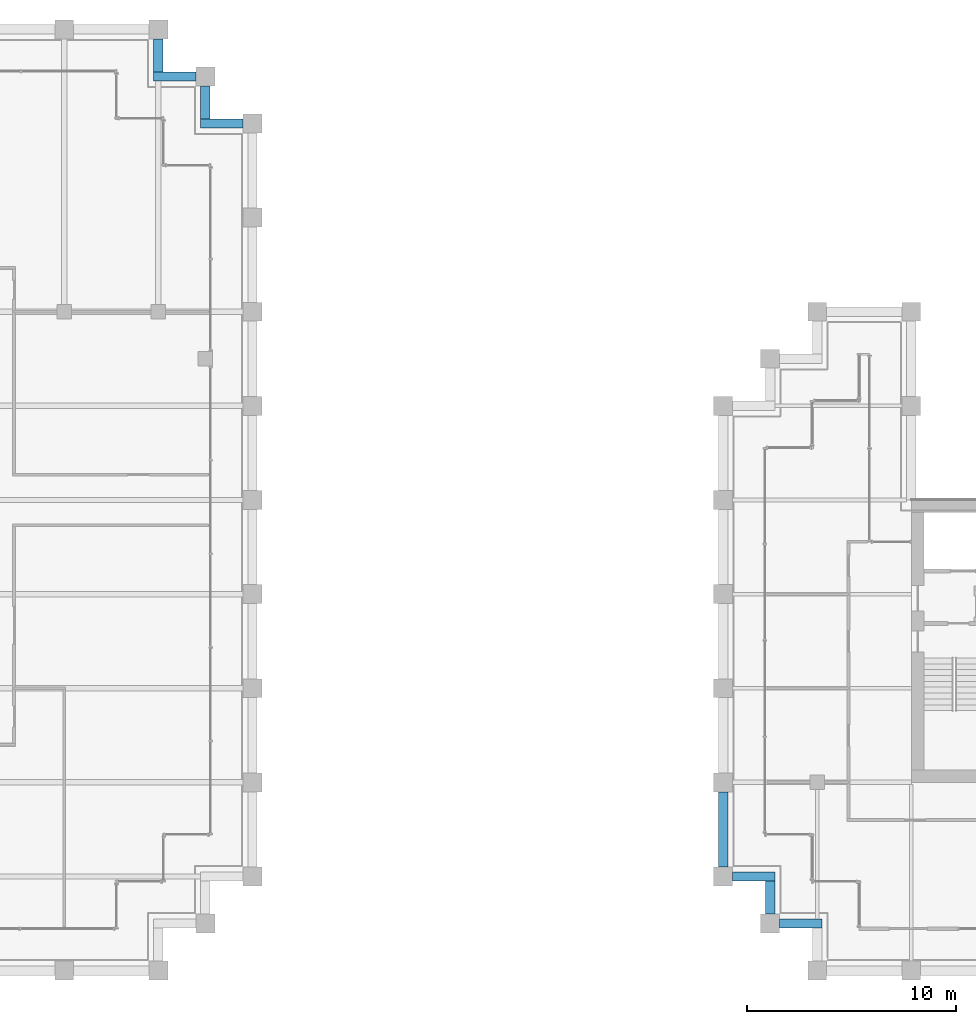
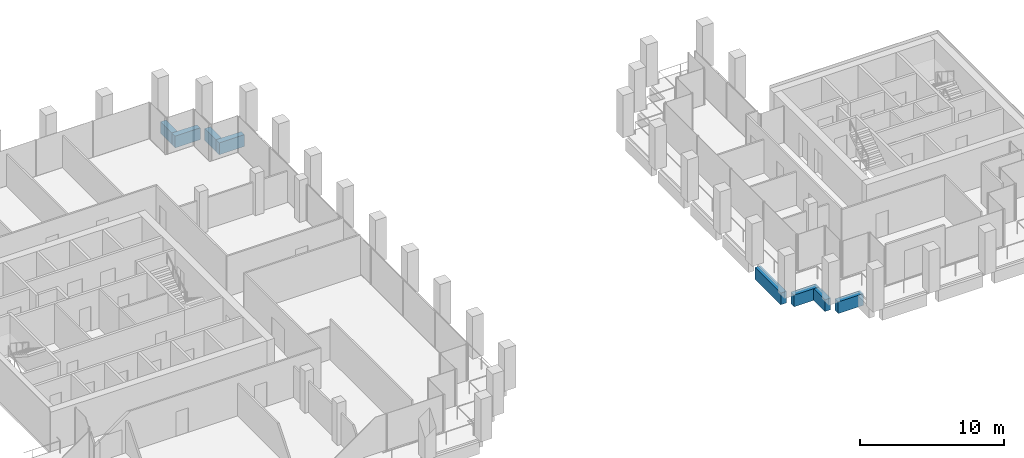
# One storey, part 27 of 40: 8 beams.
"""IFC4 building model written with IfcOpenShell, lengths in metres."""

import ifcopenshell
import ifcopenshell.guid

model = None  # the IFC model being written
_history = None  # IfcOwnerHistory: only IFC2X3 demands one
_inside = {}  # id of a spatial element -> (the spatial element, [elements in it])
_under = {}  # id of a project, library or spatial element -> (it, [spatial elements below it])
_declared = {}  # id of a project -> (the project, [libraries it declares])
_typed = {}  # id of a type object -> (the type object, [elements of that type])
_made_of = {}  # id of a material, layer set ... -> (it, [elements and type objects made of it])


def new_model(schema):
    """Start an empty IFC model of exactly this schema.

    Asked for "IFC4X3", IfcOpenShell would pick the latest addendum, in which some entities
    have other attributes; the version numbers below select the first issue.
    IFC2X3 requires an IfcOwnerHistory on every rooted entity: one is made here for all.
    """
    global model, _history
    if schema == "IFC4X3":
        model = ifcopenshell.file(schema_version=(4, 3, 0, 0))
    else:
        model = ifcopenshell.file(schema=schema)
    _inside.clear()
    _under.clear()
    _declared.clear()
    _typed.clear()
    _made_of.clear()
    _history = None
    if model.schema == "IFC2X3":
        org = make("IfcOrganization", Name="unknown")
        user = make(
            "IfcPersonAndOrganization",
            ThePerson=make("IfcPerson", FamilyName="unknown"),
            TheOrganization=org,
        )
        app = make(
            "IfcApplication",
            ApplicationDeveloper=org,
            Version="unknown",
            ApplicationFullName="unknown",
            ApplicationIdentifier="unknown",
        )
        _history = make(
            "IfcOwnerHistory",
            OwningUser=user,
            OwningApplication=app,
            ChangeAction="ADDED",
            CreationDate=0,
        )
    return model


def make(cls, **values):
    """One entity of the class cls with the attributes given. An attribute that is None is left unset."""
    return model.create_entity(
        cls, **{name: value for name, value in values.items() if value is not None}
    )


def rooted(cls, **values):
    """An entity with a GlobalId (a new one), such as an element, a storey or a relation."""
    return make(cls, GlobalId=ifcopenshell.guid.new(), OwnerHistory=_history, **values)


def si_unit(unit_type, name, prefix=None):
    """IfcSIUnit, for example si_unit("LENGTHUNIT", "METRE", prefix="MILLI")."""
    return make("IfcSIUnit", UnitType=unit_type, Prefix=prefix, Name=name)


def assignment(units):
    """IfcUnitAssignment: the units of a project."""
    return None if units is None else make("IfcUnitAssignment", Units=units)


def point(xyz):
    """IfcCartesianPoint."""
    return None if xyz is None else make("IfcCartesianPoint", Coordinates=xyz)


def direction(xyz):
    """IfcDirection."""
    return None if xyz is None else make("IfcDirection", DirectionRatios=xyz)


def frame(location, z_axis=None, x_axis=None):
    """IfcAxis2Placement3D, a coordinate frame: its origin and axes. An axis left out is left unset."""
    return make(
        "IfcAxis2Placement3D",
        Location=point(location),
        Axis=direction(z_axis),
        RefDirection=direction(x_axis),
    )


def frame_2d(location, x_axis=None):
    """IfcAxis2Placement2D, a coordinate frame in the plane: its origin and x axis."""
    return make(
        "IfcAxis2Placement2D", Location=point(location), RefDirection=direction(x_axis)
    )


def origin():
    """The frame at (0, 0, 0) with its axes left unset."""
    return frame((0.0, 0.0, 0.0))


def origin_2d():
    """The frame at (0, 0) in the plane with its x axis left unset."""
    return frame_2d((0.0, 0.0))


def place(relative_to, where):
    """IfcLocalPlacement: puts the frame where relative to a parent placement (None: the world)."""
    return make(
        "IfcLocalPlacement", PlacementRelTo=relative_to, RelativePlacement=where
    )


def context(
    kind, dimensions, precision=None, world=None, true_north=None, identifier=None
):
    """IfcGeometricRepresentationContext, for example the 3D "Model" context."""
    return make(
        "IfcGeometricRepresentationContext",
        ContextIdentifier=identifier,
        ContextType=kind,
        CoordinateSpaceDimension=dimensions,
        Precision=precision,
        WorldCoordinateSystem=world,
        TrueNorth=true_north,
    )


def subcontext(parent, identifier, kind, view, scale=None):
    """IfcGeometricRepresentationSubContext, for example "Body" below "Model"."""
    return make(
        "IfcGeometricRepresentationSubContext",
        ContextIdentifier=identifier,
        ContextType=kind,
        ParentContext=parent,
        TargetScale=scale,
        TargetView=view,
    )


def project(units=None, contexts=None):
    """IfcProject with its units and contexts."""
    return rooted(
        "IfcProject",
        Name="project",
        RepresentationContexts=contexts,
        UnitsInContext=assignment(units),
    )


def spatial(cls, under=None, at=None, **own):
    """A site, building, storey or space (cls), placed at a placement, below another one or the project."""
    s = rooted(cls, ObjectPlacement=at, **own)
    if under is not None:
        _under.setdefault(under.id(), (under, []))[1].append(s)
    return s


def profile(cls, at=None, kind="AREA", **sizes):
    """A parametric profile (cls). Its sizes go by their IFC names, for example OverallWidth=200.0."""
    return make(cls, ProfileType=kind, Position=at, **sizes)


def rectangle(**sizes):
    """IfcRectangleProfileDef."""
    return profile("IfcRectangleProfileDef", **sizes)


def extrude(swept, where, along, depth):
    """IfcExtrudedAreaSolid: the profile swept, set in the frame where, extruded along a direction by depth."""
    return make(
        "IfcExtrudedAreaSolid",
        SweptArea=swept,
        Position=where,
        ExtrudedDirection=direction(along),
        Depth=depth,
    )


def shape(context_of_items, identifier, shape_type, items):
    """IfcShapeRepresentation: the items that make up one representation, for example the "Body"."""
    return make(
        "IfcShapeRepresentation",
        ContextOfItems=context_of_items,
        RepresentationIdentifier=identifier,
        RepresentationType=shape_type,
        Items=items,
    )


def material(Name=None, Category=None):
    """IfcMaterial."""
    return make("IfcMaterial", Name=Name, Category=Category)


def material_profile(
    of_material, cross_section, Name=None, Category=None, Priority=None
):
    """IfcMaterialProfile: a cross section and its material."""
    return make(
        "IfcMaterialProfile",
        Name=Name,
        Material=of_material,
        Profile=cross_section,
        Priority=Priority,
        Category=Category,
    )


def profile_set(profiles, Name=None, composite=None):
    """IfcMaterialProfileSet."""
    return make(
        "IfcMaterialProfileSet",
        Name=Name,
        MaterialProfiles=profiles,
        CompositeProfile=composite,
    )


def made_of(thing, what):
    """Note that an element or type object is made of a material, layer set ...; save() writes the relation."""
    if what is not None:
        _made_of.setdefault(what.id(), (what, []))[1].append(thing)
    return thing


def type_object(cls, material=None, **own):
    """A type object (cls), such as IfcWallType, which elements share."""
    return made_of(rooted(cls, **own), material)


def element(
    cls,
    number,
    at=None,
    inside=None,
    cuts=None,
    type_object=None,
    material=None,
    context=None,
    identifier="Body",
    shape_type=None,
    held_by="IfcProductDefinitionShape",
    body=None,
    shapes=None,
    **own,
):
    """One element of the class cls, such as IfcWall. Its Tag is "e" and its number.

    at: its placement. inside: the storey or other place that contains it. cuts: it is an
    opening in that element (IfcRelVoidsElement). A single representation is given by context,
    identifier, shape_type and body (its items); several are given by shapes. held_by: the class
    of the entity that holds the representations. save() writes the other relations.
    """
    e = rooted(cls, Tag="e%d" % number, ObjectPlacement=at, **own)
    if body is not None:
        shapes = [shape(context, identifier, shape_type, body)]
    if shapes is not None:
        e.Representation = make(held_by, Representations=shapes)
    if inside is not None:
        _inside.setdefault(inside.id(), (inside, []))[1].append(e)
    if cuts is not None:
        rooted(
            "IfcRelVoidsElement", RelatingBuildingElement=cuts, RelatedOpeningElement=e
        )
    if type_object is not None:
        _typed.setdefault(type_object.id(), (type_object, []))[1].append(e)
    return made_of(e, material)


def aggregate(whole, parts):
    """IfcRelAggregates: a whole, such as a stair, and the parts it consists of."""
    return rooted("IfcRelAggregates", RelatingObject=whole, RelatedObjects=parts)


def save(model, path):
    """Write the relations noted so far, then the file.

    IfcRelAggregates (storeys below a building ...), IfcRelContainedInSpatialStructure (elements
    in a storey), IfcRelDefinesByType, IfcRelAssociatesMaterial and IfcRelDeclares: one each for
    every whole, place, type object, material and project.
    """
    for whole, parts in _under.values():
        aggregate(whole, parts)
    for where, things in _inside.values():
        rooted(
            "IfcRelContainedInSpatialStructure",
            RelatedElements=things,
            RelatingStructure=where,
        )
    for kind, things in _typed.values():
        rooted("IfcRelDefinesByType", RelatedObjects=things, RelatingType=kind)
    for what, things in _made_of.values():
        rooted("IfcRelAssociatesMaterial", RelatedObjects=things, RelatingMaterial=what)
    for by, libraries in _declared.values():
        rooted("IfcRelDeclares", RelatingContext=by, RelatedDefinitions=libraries)
    model.write(path)


model = new_model("IFC4")

# Units and contexts
model_context = context("Model", 3, precision=1e-05, world=origin(), true_north=direction((0.0, 1.0)))
body_context = subcontext(model_context, "Body", "Model", "MODEL_VIEW")
ifc_project = project(units=[si_unit("LENGTHUNIT", "METRE"), si_unit("AREAUNIT", "SQUARE_METRE"), si_unit("VOLUMEUNIT", "CUBIC_METRE"), si_unit("PLANEANGLEUNIT", "RADIAN"), si_unit("MASSUNIT", "GRAM", prefix="KILO")], contexts=[model_context])

# Site, building, storey
site_placement = place(None, origin())
site = spatial("IfcSite", under=ifc_project, at=site_placement, CompositionType="ELEMENT")
building_placement = place(site_placement, origin())
building = spatial("IfcBuilding", under=site, at=building_placement, Name="Altepetl Exchange Towers", CompositionType="ELEMENT")
storey_placement = place(building_placement, frame((0.0, 0.0, 165.39990234375)))
storey = spatial("IfcBuildingStorey", under=building, at=storey_placement, Name="L41", CompositionType="ELEMENT", Elevation=165.39990234375)

# Beams
ifc_material_1 = material(Name="Concrete C50/60 precast with cantera rosa facing", Category="concrete")
ifc_material_profile_1 = material_profile(ifc_material_1, rectangle(XDim=0.449951171875, YDim=1.0, at=origin_2d()), Name="450 x 1000")
ifc_profile_set_1 = profile_set([ifc_material_profile_1], Name="Concrete C50/60 precast with cantera rosa facing")
beam_type_1 = type_object("IfcBeamType", Name="Spandrel beam 450x1000 cantera rosa", PredefinedType="SPANDREL", material=ifc_profile_set_1)
beam_1_placement = place(storey_placement, frame((71.550048828125, 67.5, -0.64990234375), z_axis=(-1.0, 0.0, 0.0), x_axis=(0.0, -1.0, 0.0)))
element("IfcBeam", 1, at=beam_1_placement, inside=storey, type_object=beam_type_1, Name="sp:A:L41:020", PredefinedType="SPANDREL", context=body_context, shape_type="SweptSolid", body=[
    extrude(rectangle(XDim=0.449951171875, YDim=1.0, at=origin_2d()), origin(), (0.0, 0.0, 1.0), 2.025146484375),
])
beam_2_placement = place(storey_placement, frame((69.75, 67.72509765625, -0.64990234375), z_axis=(0.0, 1.0, 0.0), x_axis=(-1.0, 0.0, 0.0)))
element("IfcBeam", 2, at=beam_2_placement, inside=storey, type_object=beam_type_1, Name="sp:A:L41:021", PredefinedType="SPANDREL", context=body_context, shape_type="SweptSolid", body=[
    extrude(rectangle(XDim=0.449951171875, YDim=1.0, at=origin_2d()), origin(), (0.0, 0.0, 1.0), 1.574951171875),
])
beam_3_placement = place(storey_placement, frame((69.300048828125, 69.75, -0.64990234375), z_axis=(-1.0, 0.0, 0.0), x_axis=(0.0, -1.0, 0.0)))
element("IfcBeam", 3, at=beam_3_placement, inside=storey, type_object=beam_type_1, Name="sp:A:L41:022", PredefinedType="SPANDREL", context=body_context, shape_type="SweptSolid", body=[
    extrude(rectangle(XDim=0.449951171875, YDim=1.0, at=origin_2d()), origin(), (0.0, 0.0, 1.0), 2.025146484375),
])
beam_4_placement = place(storey_placement, frame((67.5, 69.97509765625, -0.64990234375), z_axis=(0.0, 1.0, 0.0), x_axis=(-1.0, 0.0, 0.0)))
element("IfcBeam", 4, at=beam_4_placement, inside=storey, type_object=beam_type_1, Name="sp:A:L41:023", PredefinedType="SPANDREL", context=body_context, shape_type="SweptSolid", body=[
    extrude(rectangle(XDim=0.449951171875, YDim=1.0, at=origin_2d()), origin(), (0.0, 0.0, 1.0), 1.574951171875),
])
ifc_material_2 = material(Name="Concrete C50/60 precast with tezontle facing", Category="concrete")
ifc_material_profile_2 = material_profile(ifc_material_2, rectangle(XDim=0.449951171875, YDim=1.0, at=origin_2d()), Name="450 x 1000")
ifc_profile_set_2 = profile_set([ifc_material_profile_2], Name="Concrete C50/60 precast with tezontle facing")
beam_type_2 = type_object("IfcBeamType", Name="Spandrel beam 450x1000 tezontle", PredefinedType="SPANDREL", material=ifc_profile_set_2)
beam_5_placement = place(storey_placement, frame((94.5, 35.550048828125, -0.64990234375), z_axis=(0.0, -1.0, 0.0), x_axis=(1.0, 0.0, 0.0)))
element("IfcBeam", 5, at=beam_5_placement, inside=storey, type_object=beam_type_2, Name="sp:B:L41:019", PredefinedType="SPANDREL", context=body_context, shape_type="SweptSolid", body=[
    extrude(rectangle(XDim=0.449951171875, YDim=1.0, at=origin_2d()), origin(), (0.0, 0.0, 1.0), 3.60009765625),
])
beam_6_placement = place(storey_placement, frame((94.949951171875, 31.5, -0.64990234375), z_axis=(1.0, 0.0, 0.0), x_axis=(0.0, 1.0, 0.0)))
element("IfcBeam", 6, at=beam_6_placement, inside=storey, type_object=beam_type_2, Name="sp:B:L41:020", PredefinedType="SPANDREL", context=body_context, shape_type="SweptSolid", body=[
    extrude(rectangle(XDim=0.449951171875, YDim=1.0, at=origin_2d()), origin(), (0.0, 0.0, 1.0), 2.025146484375),
])
beam_7_placement = place(storey_placement, frame((96.75, 31.27490234375, -0.64990234375), z_axis=(0.0, -1.0, 0.0), x_axis=(1.0, 0.0, 0.0)))
element("IfcBeam", 7, at=beam_7_placement, inside=storey, type_object=beam_type_2, Name="sp:B:L41:021", PredefinedType="SPANDREL", context=body_context, shape_type="SweptSolid", body=[
    extrude(rectangle(XDim=0.449951171875, YDim=1.0, at=origin_2d()), origin(), (0.0, 0.0, 1.0), 1.574951171875),
])
beam_8_placement = place(storey_placement, frame((97.199951171875, 29.25, -0.64990234375), z_axis=(1.0, 0.0, 0.0), x_axis=(0.0, 1.0, 0.0)))
element("IfcBeam", 8, at=beam_8_placement, inside=storey, type_object=beam_type_2, Name="sp:B:L41:022", PredefinedType="SPANDREL", context=body_context, shape_type="SweptSolid", body=[
    extrude(rectangle(XDim=0.449951171875, YDim=1.0, at=origin_2d()), origin(), (0.0, 0.0, 1.0), 2.025146484375),
])

save(model, "model.ifc")
